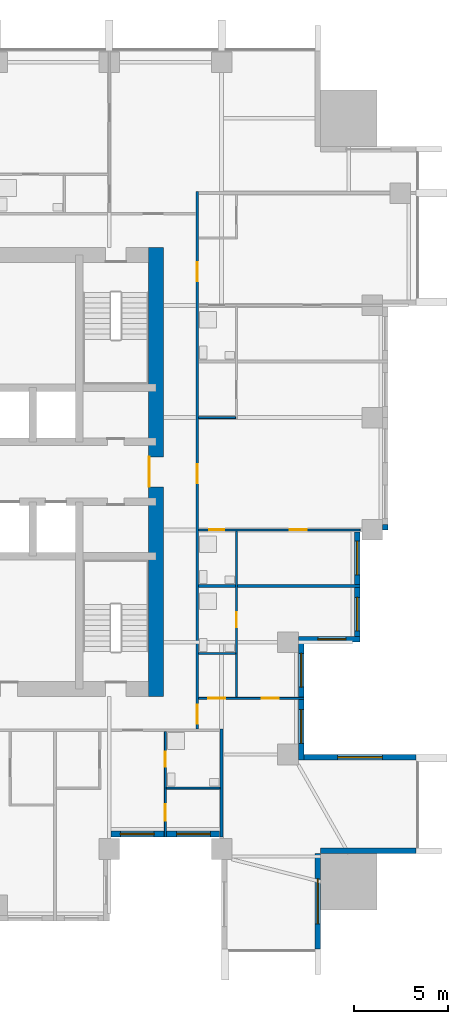
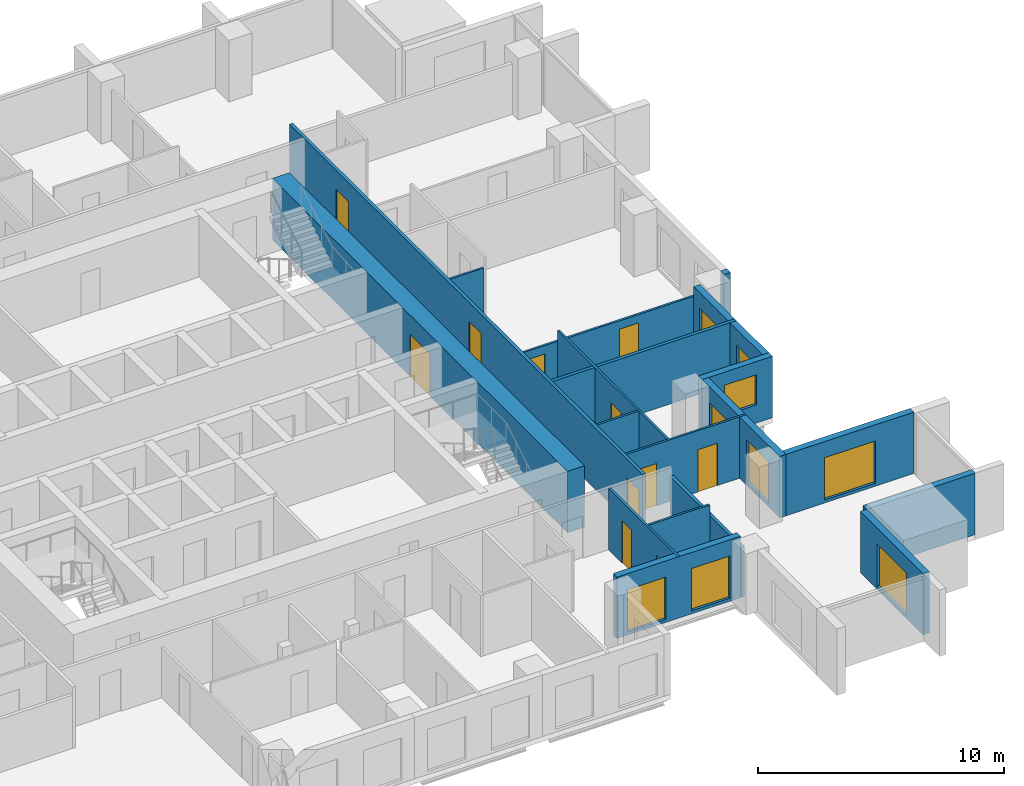
# One storey, part 6 of 10: 19 walls, 11 doors, 9 windows, 20 openings.
"""IFC4 building model written with IfcOpenShell, lengths in metres."""

import ifcopenshell
import ifcopenshell.guid

model = None  # the IFC model being written
_history = None  # IfcOwnerHistory: only IFC2X3 demands one
_inside = {}  # id of a spatial element -> (the spatial element, [elements in it])
_under = {}  # id of a project, library or spatial element -> (it, [spatial elements below it])
_declared = {}  # id of a project -> (the project, [libraries it declares])
_typed = {}  # id of a type object -> (the type object, [elements of that type])
_made_of = {}  # id of a material, layer set ... -> (it, [elements and type objects made of it])


def new_model(schema):
    """Start an empty IFC model of exactly this schema.

    Asked for "IFC4X3", IfcOpenShell would pick the latest addendum, in which some entities
    have other attributes; the version numbers below select the first issue.
    IFC2X3 requires an IfcOwnerHistory on every rooted entity: one is made here for all.
    """
    global model, _history
    if schema == "IFC4X3":
        model = ifcopenshell.file(schema_version=(4, 3, 0, 0))
    else:
        model = ifcopenshell.file(schema=schema)
    _inside.clear()
    _under.clear()
    _declared.clear()
    _typed.clear()
    _made_of.clear()
    _history = None
    if model.schema == "IFC2X3":
        org = make("IfcOrganization", Name="unknown")
        user = make(
            "IfcPersonAndOrganization",
            ThePerson=make("IfcPerson", FamilyName="unknown"),
            TheOrganization=org,
        )
        app = make(
            "IfcApplication",
            ApplicationDeveloper=org,
            Version="unknown",
            ApplicationFullName="unknown",
            ApplicationIdentifier="unknown",
        )
        _history = make(
            "IfcOwnerHistory",
            OwningUser=user,
            OwningApplication=app,
            ChangeAction="ADDED",
            CreationDate=0,
        )
    return model


def make(cls, **values):
    """One entity of the class cls with the attributes given. An attribute that is None is left unset."""
    return model.create_entity(
        cls, **{name: value for name, value in values.items() if value is not None}
    )


def rooted(cls, **values):
    """An entity with a GlobalId (a new one), such as an element, a storey or a relation."""
    return make(cls, GlobalId=ifcopenshell.guid.new(), OwnerHistory=_history, **values)


def si_unit(unit_type, name, prefix=None):
    """IfcSIUnit, for example si_unit("LENGTHUNIT", "METRE", prefix="MILLI")."""
    return make("IfcSIUnit", UnitType=unit_type, Prefix=prefix, Name=name)


def assignment(units):
    """IfcUnitAssignment: the units of a project."""
    return None if units is None else make("IfcUnitAssignment", Units=units)


def point(xyz):
    """IfcCartesianPoint."""
    return None if xyz is None else make("IfcCartesianPoint", Coordinates=xyz)


def direction(xyz):
    """IfcDirection."""
    return None if xyz is None else make("IfcDirection", DirectionRatios=xyz)


def frame(location, z_axis=None, x_axis=None):
    """IfcAxis2Placement3D, a coordinate frame: its origin and axes. An axis left out is left unset."""
    return make(
        "IfcAxis2Placement3D",
        Location=point(location),
        Axis=direction(z_axis),
        RefDirection=direction(x_axis),
    )


def frame_2d(location, x_axis=None):
    """IfcAxis2Placement2D, a coordinate frame in the plane: its origin and x axis."""
    return make(
        "IfcAxis2Placement2D", Location=point(location), RefDirection=direction(x_axis)
    )


def origin():
    """The frame at (0, 0, 0) with its axes left unset."""
    return frame((0.0, 0.0, 0.0))


def place(relative_to, where):
    """IfcLocalPlacement: puts the frame where relative to a parent placement (None: the world)."""
    return make(
        "IfcLocalPlacement", PlacementRelTo=relative_to, RelativePlacement=where
    )


def context(
    kind, dimensions, precision=None, world=None, true_north=None, identifier=None
):
    """IfcGeometricRepresentationContext, for example the 3D "Model" context."""
    return make(
        "IfcGeometricRepresentationContext",
        ContextIdentifier=identifier,
        ContextType=kind,
        CoordinateSpaceDimension=dimensions,
        Precision=precision,
        WorldCoordinateSystem=world,
        TrueNorth=true_north,
    )


def subcontext(parent, identifier, kind, view, scale=None):
    """IfcGeometricRepresentationSubContext, for example "Body" below "Model"."""
    return make(
        "IfcGeometricRepresentationSubContext",
        ContextIdentifier=identifier,
        ContextType=kind,
        ParentContext=parent,
        TargetScale=scale,
        TargetView=view,
    )


def project(units=None, contexts=None):
    """IfcProject with its units and contexts."""
    return rooted(
        "IfcProject",
        Name="project",
        RepresentationContexts=contexts,
        UnitsInContext=assignment(units),
    )


def spatial(cls, under=None, at=None, **own):
    """A site, building, storey or space (cls), placed at a placement, below another one or the project."""
    s = rooted(cls, ObjectPlacement=at, **own)
    if under is not None:
        _under.setdefault(under.id(), (under, []))[1].append(s)
    return s


def profile(cls, at=None, kind="AREA", **sizes):
    """A parametric profile (cls). Its sizes go by their IFC names, for example OverallWidth=200.0."""
    return make(cls, ProfileType=kind, Position=at, **sizes)


def rectangle(**sizes):
    """IfcRectangleProfileDef."""
    return profile("IfcRectangleProfileDef", **sizes)


def extrude(swept, where, along, depth):
    """IfcExtrudedAreaSolid: the profile swept, set in the frame where, extruded along a direction by depth."""
    return make(
        "IfcExtrudedAreaSolid",
        SweptArea=swept,
        Position=where,
        ExtrudedDirection=direction(along),
        Depth=depth,
    )


def shape(context_of_items, identifier, shape_type, items):
    """IfcShapeRepresentation: the items that make up one representation, for example the "Body"."""
    return make(
        "IfcShapeRepresentation",
        ContextOfItems=context_of_items,
        RepresentationIdentifier=identifier,
        RepresentationType=shape_type,
        Items=items,
    )


def material(Name=None, Category=None):
    """IfcMaterial."""
    return make("IfcMaterial", Name=Name, Category=Category)


def layer(
    of_material, thickness, ventilated=None, Name=None, Category=None, Priority=None
):
    """IfcMaterialLayer: one layer of a wall or slab, of a material (None: an air gap)."""
    return make(
        "IfcMaterialLayer",
        Material=of_material,
        LayerThickness=thickness,
        IsVentilated=ventilated,
        Name=Name,
        Category=Category,
        Priority=Priority,
    )


def layer_set(layers, Name=None):
    """IfcMaterialLayerSet."""
    return make("IfcMaterialLayerSet", MaterialLayers=layers, LayerSetName=Name)


def made_of(thing, what):
    """Note that an element or type object is made of a material, layer set ...; save() writes the relation."""
    if what is not None:
        _made_of.setdefault(what.id(), (what, []))[1].append(thing)
    return thing


def type_object(cls, material=None, **own):
    """A type object (cls), such as IfcWallType, which elements share."""
    return made_of(rooted(cls, **own), material)


def element(
    cls,
    number,
    at=None,
    inside=None,
    cuts=None,
    type_object=None,
    material=None,
    context=None,
    identifier="Body",
    shape_type=None,
    held_by="IfcProductDefinitionShape",
    body=None,
    shapes=None,
    **own,
):
    """One element of the class cls, such as IfcWall. Its Tag is "e" and its number.

    at: its placement. inside: the storey or other place that contains it. cuts: it is an
    opening in that element (IfcRelVoidsElement). A single representation is given by context,
    identifier, shape_type and body (its items); several are given by shapes. held_by: the class
    of the entity that holds the representations. save() writes the other relations.
    """
    e = rooted(cls, Tag="e%d" % number, ObjectPlacement=at, **own)
    if body is not None:
        shapes = [shape(context, identifier, shape_type, body)]
    if shapes is not None:
        e.Representation = make(held_by, Representations=shapes)
    if inside is not None:
        _inside.setdefault(inside.id(), (inside, []))[1].append(e)
    if cuts is not None:
        rooted(
            "IfcRelVoidsElement", RelatingBuildingElement=cuts, RelatedOpeningElement=e
        )
    if type_object is not None:
        _typed.setdefault(type_object.id(), (type_object, []))[1].append(e)
    return made_of(e, material)


def fill(opening, filler):
    """IfcRelFillsElement: the door or window that sits in an opening."""
    return rooted(
        "IfcRelFillsElement",
        RelatingOpeningElement=opening,
        RelatedBuildingElement=filler,
    )


def aggregate(whole, parts):
    """IfcRelAggregates: a whole, such as a stair, and the parts it consists of."""
    return rooted("IfcRelAggregates", RelatingObject=whole, RelatedObjects=parts)


def save(model, path):
    """Write the relations noted so far, then the file.

    IfcRelAggregates (storeys below a building ...), IfcRelContainedInSpatialStructure (elements
    in a storey), IfcRelDefinesByType, IfcRelAssociatesMaterial and IfcRelDeclares: one each for
    every whole, place, type object, material and project.
    """
    for whole, parts in _under.values():
        aggregate(whole, parts)
    for where, things in _inside.values():
        rooted(
            "IfcRelContainedInSpatialStructure",
            RelatedElements=things,
            RelatingStructure=where,
        )
    for kind, things in _typed.values():
        rooted("IfcRelDefinesByType", RelatedObjects=things, RelatingType=kind)
    for what, things in _made_of.values():
        rooted("IfcRelAssociatesMaterial", RelatedObjects=things, RelatingMaterial=what)
    for by, libraries in _declared.values():
        rooted("IfcRelDeclares", RelatingContext=by, RelatedDefinitions=libraries)
    model.write(path)


model = new_model("IFC4")

# Units and contexts
model_context = context("Model", 3, precision=1e-05, world=origin(), true_north=direction((0.0, 1.0)))
body_context = subcontext(model_context, "Body", "Model", "MODEL_VIEW")
ifc_project = project(units=[si_unit("LENGTHUNIT", "METRE"), si_unit("AREAUNIT", "SQUARE_METRE"), si_unit("VOLUMEUNIT", "CUBIC_METRE"), si_unit("PLANEANGLEUNIT", "RADIAN"), si_unit("MASSUNIT", "GRAM", prefix="KILO")], contexts=[model_context])

# Site, building, storey
site_placement = place(None, origin())
site = spatial("IfcSite", under=ifc_project, at=site_placement, CompositionType="ELEMENT")
building_placement = place(site_placement, origin())
building = spatial("IfcBuilding", under=site, at=building_placement, Name="Amberfall Residences", CompositionType="ELEMENT")
storey_placement = place(building_placement, frame((0.0, 0.0, 101.800048828125)))
storey = spatial("IfcBuildingStorey", under=building, at=storey_placement, Name="L27", CompositionType="ELEMENT", Elevation=101.800048828125)

# Wall, opening, window
ifc_material_1 = material(Name="Pale stone cladding on insulated backing", Category="masonry")
ifc_layer_1 = layer(ifc_material_1, 0.300048828125)
ifc_layer_set_1 = layer_set([ifc_layer_1], Name="Bronze clad wall 300")
wall_type_1 = type_object("IfcWallType", Name="Bronze clad wall 300", PredefinedType="SOLIDWALL", material=ifc_layer_set_1)
wall_1_placement = place(storey_placement, frame((94.75, 20.0, 0.0), z_axis=(0.0, 0.0, 1.0), x_axis=(0.0, 1.0, 0.0)))
wall_1 = element("IfcWall", 1, at=wall_1_placement, inside=storey, type_object=wall_type_1, Name="External wall L27 SE", PredefinedType="SOLIDWALL", context=body_context, shape_type="SweptSolid", body=[
    extrude(rectangle(XDim=5.10009765625, YDim=0.300048828125, at=frame_2d((2.550048828125, 0.0))), origin(), (0.0, 0.0, 1.0), 3.050048828125),
])
opening_1_placement = place(wall_1_placement, frame((1.35009765625, 0.0, 0.14990234375)))
opening_1 = element("IfcOpeningElement", 2, at=opening_1_placement, cuts=wall_1, Name="Opening WN5", PredefinedType="OPENING", context=body_context, shape_type="SweptSolid", body=[
    extrude(rectangle(XDim=2.39990234375, YDim=2.10009765625, at=frame_2d((1.199951171875, 1.050048828125))), frame((0.0, 0.159912109375, 0.0), z_axis=(0.0, -1.0, 0.0), x_axis=(1.0, 0.0, 0.0)), (0.0, 0.0, 1.0), 0.320068359375),
])
ifc_material_2 = material(Name="Bronze aluminium framed glazing", Category="aluminium")
window_type_1 = type_object("IfcWindowType", Name="Glazed opening 2400 x 2100 bronze", PartitioningType="DOUBLE_PANEL_VERTICAL", PredefinedType="WINDOW", material=ifc_material_2)
window_1_placement = place(opening_1_placement, origin())
window_1 = element("IfcWindow", 3, at=window_1_placement, inside=storey, type_object=window_type_1, Name="Window L27 SE", OverallHeight=2.10009765625, OverallWidth=2.39990234375, PartitioningType="DOUBLE_PANEL_VERTICAL", PredefinedType="WINDOW", context=body_context, shape_type="SweptSolid", body=[
    extrude(rectangle(XDim=2.39990234375, YDim=2.10009765625, at=frame_2d((1.199951171875, 1.050048828125))), frame((0.0, 0.030029296875, 0.0), z_axis=(0.0, -1.0, 0.0), x_axis=(1.0, 0.0, 0.0)), (0.0, 0.0, 1.0), 0.06005859375),
])
fill(opening_1, window_1)

# Wall
wall_2_placement = place(storey_placement, frame((94.89990234375, 25.25, 0.0), z_axis=(0.0, 0.0, 1.0), x_axis=(1.0, 0.0, 0.0)))
element("IfcWall", 4, at=wall_2_placement, inside=storey, type_object=wall_type_1, Name="External wall L27 SE", PredefinedType="SOLIDWALL", context=body_context, shape_type="SweptSolid", body=[
    extrude(rectangle(XDim=5.10009765625, YDim=0.300048828125, at=frame_2d((2.550048828125, 0.0))), origin(), (0.0, 0.0, 1.0), 3.050048828125),
])

# Wall, opening, window
wall_3_placement = place(storey_placement, frame((100.0, 30.25, 0.0), z_axis=(0.0, 0.0, 1.0), x_axis=(-1.0, 0.0, 0.0)))
wall_3 = element("IfcWall", 5, at=wall_3_placement, inside=storey, type_object=wall_type_1, Name="External wall L27 E", PredefinedType="SOLIDWALL", context=body_context, shape_type="SweptSolid", body=[
    extrude(rectangle(XDim=6.0, YDim=0.300048828125, at=frame_2d((3.0, 0.0))), origin(), (0.0, 0.0, 1.0), 3.050048828125),
])
opening_2_placement = place(wall_3_placement, frame((1.800048828125, 0.0, 0.14990234375)))
opening_2 = element("IfcOpeningElement", 6, at=opening_2_placement, cuts=wall_3, Name="Opening WN5", PredefinedType="OPENING", context=body_context, shape_type="SweptSolid", body=[
    extrude(rectangle(XDim=2.39990234375, YDim=2.10009765625, at=frame_2d((1.199951171875, 1.050048828125))), frame((0.0, 0.159912109375, 0.0), z_axis=(0.0, -1.0, 0.0), x_axis=(1.0, 0.0, 0.0)), (0.0, 0.0, 1.0), 0.320068359375),
])
window_2_placement = place(opening_2_placement, origin())
window_2 = element("IfcWindow", 7, at=window_2_placement, inside=storey, type_object=window_type_1, Name="Window L27 E", OverallHeight=2.10009765625, OverallWidth=2.39990234375, PartitioningType="DOUBLE_PANEL_VERTICAL", PredefinedType="WINDOW", context=body_context, shape_type="SweptSolid", body=[
    extrude(rectangle(XDim=2.39990234375, YDim=2.10009765625, at=frame_2d((1.199951171875, 1.050048828125))), frame((0.0, 0.030029296875, 0.0), z_axis=(0.0, -1.0, 0.0), x_axis=(1.0, 0.0, 0.0)), (0.0, 0.0, 1.0), 0.06005859375),
])
fill(opening_2, window_2)

wall_4_placement = place(storey_placement, frame((93.699951171875, 36.550048828125, 0.0), z_axis=(0.0, 0.0, 1.0), x_axis=(1.0, 0.0, 0.0)))
wall_4 = element("IfcWall", 8, at=wall_4_placement, inside=storey, type_object=wall_type_1, Name="External wall L27 E", PredefinedType="SOLIDWALL", context=body_context, shape_type="SweptSolid", body=[
    extrude(rectangle(XDim=3.300048828125, YDim=0.300048828125, at=frame_2d((1.64990234375, 0.0))), origin(), (0.0, 0.0, 1.0), 3.050048828125),
])
opening_3_placement = place(wall_4_placement, frame((1.050048828125, 0.0, 0.89990234375)))
opening_3 = element("IfcOpeningElement", 9, at=opening_3_placement, cuts=wall_4, Name="Opening WN1", PredefinedType="OPENING", context=body_context, shape_type="SweptSolid", body=[
    extrude(rectangle(XDim=1.5, YDim=1.5, at=frame_2d((0.75, 0.75))), frame((0.0, 0.159912109375, 0.0), z_axis=(0.0, -1.0, 0.0), x_axis=(1.0, 0.0, 0.0)), (0.0, 0.0, 1.0), 0.320068359375),
])
window_type_2 = type_object("IfcWindowType", Name="Window 1500 x 1500 bronze", PartitioningType="DOUBLE_PANEL_VERTICAL", PredefinedType="WINDOW", material=ifc_material_2)
window_3_placement = place(opening_3_placement, origin())
window_3 = element("IfcWindow", 10, at=window_3_placement, inside=storey, type_object=window_type_2, Name="Window L27 E", OverallHeight=1.5, OverallWidth=1.5, PartitioningType="DOUBLE_PANEL_VERTICAL", PredefinedType="WINDOW", context=body_context, shape_type="SweptSolid", body=[
    extrude(rectangle(XDim=1.5, YDim=1.5, at=frame_2d((0.75, 0.75))), frame((0.0, 0.030029296875, 0.0), z_axis=(0.0, -1.0, 0.0), x_axis=(1.0, 0.0, 0.0)), (0.0, 0.0, 1.0), 0.06005859375),
])
fill(opening_3, window_3)

# Wall
wall_5_placement = place(storey_placement, frame((98.199951171875, 42.550048828125, 0.0), z_axis=(0.0, 0.0, 1.0), x_axis=(1.0, 0.0, 0.0)))
element("IfcWall", 11, at=wall_5_placement, inside=storey, type_object=wall_type_1, Name="External wall L27 E", PredefinedType="SOLIDWALL", context=body_context, shape_type="SweptSolid", body=[
    extrude(rectangle(XDim=0.300048828125, YDim=0.300048828125, at=frame_2d((0.14990234375, 0.0))), origin(), (0.0, 0.0, 1.0), 3.050048828125),
])

# Wall, openings, windows
wall_6_placement = place(storey_placement, frame((83.699951171875, 26.14990234375, 0.0), z_axis=(0.0, 0.0, 1.0), x_axis=(1.0, 0.0, 0.0)))
wall_6 = element("IfcWall", 12, at=wall_6_placement, inside=storey, type_object=wall_type_1, Name="Stone wall L27 S", PredefinedType="SOLIDWALL", context=body_context, shape_type="SweptSolid", body=[
    extrude(rectangle(XDim=5.7900390625, YDim=0.300048828125, at=frame_2d((2.89501953125, 0.0))), origin(), (0.0, 0.0, 1.0), 3.050048828125),
])
opening_4_placement = place(wall_6_placement, frame((0.5, 0.0, 0.14990234375)))
opening_4 = element("IfcOpeningElement", 13, at=opening_4_placement, cuts=wall_6, Name="Opening WN6", PredefinedType="OPENING", context=body_context, shape_type="SweptSolid", body=[
    extrude(rectangle(XDim=1.800048828125, YDim=2.10009765625, at=frame_2d((0.89990234375, 1.050048828125))), frame((0.0, 0.159912109375, 0.0), z_axis=(0.0, -1.0, 0.0), x_axis=(1.0, 0.0, 0.0)), (0.0, 0.0, 1.0), 0.320068359375),
])
opening_5_placement = place(wall_6_placement, frame((3.5, 0.0, 0.14990234375)))
opening_5 = element("IfcOpeningElement", 14, at=opening_5_placement, cuts=wall_6, Name="Opening WN6", PredefinedType="OPENING", context=body_context, shape_type="SweptSolid", body=[
    extrude(rectangle(XDim=1.800048828125, YDim=2.10009765625, at=frame_2d((0.89990234375, 1.050048828125))), frame((0.0, 0.159912109375, 0.0), z_axis=(0.0, -1.0, 0.0), x_axis=(1.0, 0.0, 0.0)), (0.0, 0.0, 1.0), 0.320068359375),
])
window_type_3 = type_object("IfcWindowType", Name="Glazed opening 1800 x 2100 bronze", PartitioningType="DOUBLE_PANEL_VERTICAL", PredefinedType="WINDOW", material=ifc_material_2)
window_4_placement = place(opening_4_placement, origin())
window_4 = element("IfcWindow", 15, at=window_4_placement, inside=storey, type_object=window_type_3, Name="Window L27 S", OverallHeight=2.10009765625, OverallWidth=1.800048828125, PartitioningType="DOUBLE_PANEL_VERTICAL", PredefinedType="WINDOW", context=body_context, shape_type="SweptSolid", body=[
    extrude(rectangle(XDim=1.800048828125, YDim=2.10009765625, at=frame_2d((0.89990234375, 1.050048828125))), frame((0.0, 0.030029296875, 0.0), z_axis=(0.0, -1.0, 0.0), x_axis=(1.0, 0.0, 0.0)), (0.0, 0.0, 1.0), 0.06005859375),
])
fill(opening_4, window_4)
window_5_placement = place(opening_5_placement, origin())
window_5 = element("IfcWindow", 16, at=window_5_placement, inside=storey, type_object=window_type_3, Name="Window L27 S", OverallHeight=2.10009765625, OverallWidth=1.800048828125, PartitioningType="DOUBLE_PANEL_VERTICAL", PredefinedType="WINDOW", context=body_context, shape_type="SweptSolid", body=[
    extrude(rectangle(XDim=1.800048828125, YDim=2.10009765625, at=frame_2d((0.89990234375, 1.050048828125))), frame((0.0, 0.030029296875, 0.0), z_axis=(0.0, -1.0, 0.0), x_axis=(1.0, 0.0, 0.0)), (0.0, 0.0, 1.0), 0.06005859375),
])
fill(opening_5, window_5)

wall_7_placement = place(storey_placement, frame((93.85009765625, 30.10009765625, 0.0), z_axis=(0.0, 0.0, 1.0), x_axis=(0.0, 1.0, 0.0)))
wall_7 = element("IfcWall", 17, at=wall_7_placement, inside=storey, type_object=wall_type_1, Name="Stone wall L27 E", PredefinedType="SOLIDWALL", context=body_context, shape_type="SweptSolid", body=[
    extrude(rectangle(XDim=6.2998046875, YDim=0.300048828125, at=frame_2d((3.14990234375, 0.0))), origin(), (0.0, 0.0, 1.0), 3.050048828125),
])
opening_6_placement = place(wall_7_placement, frame((0.89990234375, 0.0, 0.14990234375)))
opening_6 = element("IfcOpeningElement", 18, at=opening_6_placement, cuts=wall_7, Name="Opening WN6", PredefinedType="OPENING", context=body_context, shape_type="SweptSolid", body=[
    extrude(rectangle(XDim=1.800048828125, YDim=2.10009765625, at=frame_2d((0.89990234375, 1.050048828125))), frame((0.0, 0.159912109375, 0.0), z_axis=(0.0, -1.0, 0.0), x_axis=(1.0, 0.0, 0.0)), (0.0, 0.0, 1.0), 0.320068359375),
])
opening_7_placement = place(wall_7_placement, frame((3.89990234375, 0.0, 0.14990234375)))
opening_7 = element("IfcOpeningElement", 19, at=opening_7_placement, cuts=wall_7, Name="Opening WN6", PredefinedType="OPENING", context=body_context, shape_type="SweptSolid", body=[
    extrude(rectangle(XDim=1.800048828125, YDim=2.10009765625, at=frame_2d((0.89990234375, 1.050048828125))), frame((0.0, 0.159912109375, 0.0), z_axis=(0.0, -1.0, 0.0), x_axis=(1.0, 0.0, 0.0)), (0.0, 0.0, 1.0), 0.320068359375),
])
window_6_placement = place(opening_6_placement, origin())
window_6 = element("IfcWindow", 20, at=window_6_placement, inside=storey, type_object=window_type_3, Name="Window L27 E", OverallHeight=2.10009765625, OverallWidth=1.800048828125, PartitioningType="DOUBLE_PANEL_VERTICAL", PredefinedType="WINDOW", context=body_context, shape_type="SweptSolid", body=[
    extrude(rectangle(XDim=1.800048828125, YDim=2.10009765625, at=frame_2d((0.89990234375, 1.050048828125))), frame((0.0, 0.030029296875, 0.0), z_axis=(0.0, -1.0, 0.0), x_axis=(1.0, 0.0, 0.0)), (0.0, 0.0, 1.0), 0.06005859375),
])
fill(opening_6, window_6)
window_7_placement = place(opening_7_placement, origin())
window_7 = element("IfcWindow", 21, at=window_7_placement, inside=storey, type_object=window_type_3, Name="Window L27 E", OverallHeight=2.10009765625, OverallWidth=1.800048828125, PartitioningType="DOUBLE_PANEL_VERTICAL", PredefinedType="WINDOW", context=body_context, shape_type="SweptSolid", body=[
    extrude(rectangle(XDim=1.800048828125, YDim=2.10009765625, at=frame_2d((0.89990234375, 1.050048828125))), frame((0.0, 0.030029296875, 0.0), z_axis=(0.0, -1.0, 0.0), x_axis=(1.0, 0.0, 0.0)), (0.0, 0.0, 1.0), 0.06005859375),
])
fill(opening_7, window_7)

wall_8_placement = place(storey_placement, frame((96.85009765625, 36.699951171875, 0.0), z_axis=(0.0, 0.0, 1.0), x_axis=(0.0, 1.0, 0.0)))
wall_8 = element("IfcWall", 22, at=wall_8_placement, inside=storey, type_object=wall_type_1, Name="Stone wall L27 E", PredefinedType="SOLIDWALL", context=body_context, shape_type="SweptSolid", body=[
    extrude(rectangle(XDim=5.590087890625, YDim=0.300048828125, at=frame_2d((2.794921875, 0.0))), origin(), (0.0, 0.0, 1.0), 3.050048828125),
])
opening_8_placement = place(wall_8_placement, frame((0.300048828125, 0.0, 0.14990234375)))
opening_8 = element("IfcOpeningElement", 23, at=opening_8_placement, cuts=wall_8, Name="Opening WN6", PredefinedType="OPENING", context=body_context, shape_type="SweptSolid", body=[
    extrude(rectangle(XDim=1.800048828125, YDim=2.10009765625, at=frame_2d((0.89990234375, 1.050048828125))), frame((0.0, 0.159912109375, 0.0), z_axis=(0.0, -1.0, 0.0), x_axis=(1.0, 0.0, 0.0)), (0.0, 0.0, 1.0), 0.320068359375),
])
opening_9_placement = place(wall_8_placement, frame((3.300048828125, 0.0, 0.14990234375)))
opening_9 = element("IfcOpeningElement", 24, at=opening_9_placement, cuts=wall_8, Name="Opening WN6", PredefinedType="OPENING", context=body_context, shape_type="SweptSolid", body=[
    extrude(rectangle(XDim=1.800048828125, YDim=2.10009765625, at=frame_2d((0.89990234375, 1.050048828125))), frame((0.0, 0.159912109375, 0.0), z_axis=(0.0, -1.0, 0.0), x_axis=(1.0, 0.0, 0.0)), (0.0, 0.0, 1.0), 0.320068359375),
])
window_8_placement = place(opening_8_placement, origin())
window_8 = element("IfcWindow", 25, at=window_8_placement, inside=storey, type_object=window_type_3, Name="Window L27 E", OverallHeight=2.10009765625, OverallWidth=1.800048828125, PartitioningType="DOUBLE_PANEL_VERTICAL", PredefinedType="WINDOW", context=body_context, shape_type="SweptSolid", body=[
    extrude(rectangle(XDim=1.800048828125, YDim=2.10009765625, at=frame_2d((0.89990234375, 1.050048828125))), frame((0.0, 0.030029296875, 0.0), z_axis=(0.0, -1.0, 0.0), x_axis=(1.0, 0.0, 0.0)), (0.0, 0.0, 1.0), 0.06005859375),
])
fill(opening_8, window_8)
window_9_placement = place(opening_9_placement, origin())
window_9 = element("IfcWindow", 26, at=window_9_placement, inside=storey, type_object=window_type_3, Name="Window L27 E", OverallHeight=2.10009765625, OverallWidth=1.800048828125, PartitioningType="DOUBLE_PANEL_VERTICAL", PredefinedType="WINDOW", context=body_context, shape_type="SweptSolid", body=[
    extrude(rectangle(XDim=1.800048828125, YDim=2.10009765625, at=frame_2d((0.89990234375, 1.050048828125))), frame((0.0, 0.030029296875, 0.0), z_axis=(0.0, -1.0, 0.0), x_axis=(1.0, 0.0, 0.0)), (0.0, 0.0, 1.0), 0.06005859375),
])
fill(opening_9, window_9)

# Wall, opening, door
ifc_material_3 = material(Name="Concrete C70", Category="concrete")
ifc_layer_2 = layer(ifc_material_3, 0.800048828125)
ifc_layer_set_2 = layer_set([ifc_layer_2], Name="Core wall 800 C70")
wall_type_2 = type_object("IfcWallType", Name="Core wall 800 C70", PredefinedType="SHEAR", material=ifc_layer_set_2)
wall_9_placement = place(storey_placement, frame((86.10009765625, 33.5, 0.0), z_axis=(0.0, 0.0, 1.0), x_axis=(0.0, 1.0, 0.0)))
wall_9 = element("IfcWall", 27, at=wall_9_placement, inside=storey, type_object=wall_type_2, Name="Core wall RW3 L27 OE", PredefinedType="SHEAR", context=body_context, shape_type="SweptSolid", body=[
    extrude(rectangle(XDim=24.0, YDim=0.800048828125, at=frame_2d((12.0, 0.0))), origin(), (0.0, 0.0, 1.0), 3.050048828125),
])
opening_10_placement = place(wall_9_placement, frame((11.199951171875, 0.0, 0.0)))
opening_10 = element("IfcOpeningElement", 28, at=opening_10_placement, cuts=wall_9, Name="Opening LB1", PredefinedType="OPENING", context=body_context, shape_type="SweptSolid", body=[
    extrude(rectangle(XDim=1.60009765625, YDim=2.10009765625, at=frame_2d((0.800048828125, 1.050048828125))), frame((0.0, 0.409912109375, 0.0), z_axis=(0.0, -1.0, 0.0), x_axis=(1.0, 0.0, 0.0)), (0.0, 0.0, 1.0), 0.820068359375),
])
ifc_material_4 = material(Name="Steel fire door set", Category="steel")
door_type_1 = type_object("IfcDoorType", Name="Lift lobby double door 1600 x 2100", OperationType="DOUBLE_DOOR_SINGLE_SWING", PredefinedType="DOOR", material=ifc_material_4)
door_1_placement = place(opening_10_placement, origin())
door_1 = element("IfcDoor", 29, at=door_1_placement, inside=storey, type_object=door_type_1, Name="LB1 L27", OperationType="DOUBLE_DOOR_SINGLE_SWING", OverallHeight=2.10009765625, OverallWidth=1.60009765625, PredefinedType="DOOR", context=body_context, shape_type="SweptSolid", body=[
    extrude(rectangle(XDim=1.60009765625, YDim=2.10009765625, at=frame_2d((0.800048828125, 1.050048828125))), frame((0.0, 0.3876953125, 0.0), z_axis=(0.0, -1.0, 0.0), x_axis=(1.0, 0.0, 0.0)), (0.0, 0.0, 1.0), 0.050048828125),
])
fill(opening_10, door_1)

# Wall, openings, doors
ifc_material_5 = material(Name="Gypsum board on metal stud")
ifc_layer_3 = layer(ifc_material_5, 0.10009765625)
ifc_layer_set_3 = layer_set([ifc_layer_3], Name="Flat partition 100")
wall_type_3 = type_object("IfcWallType", Name="Flat partition 100", PredefinedType="PARTITIONING", material=ifc_layer_set_3)
wall_10_placement = place(storey_placement, frame((86.60009765625, 31.625, 0.0), z_axis=(0.0, 0.0, 1.0), x_axis=(0.0, -1.0, 0.0)))
wall_10 = element("IfcWall", 30, at=wall_10_placement, inside=storey, type_object=wall_type_3, Name="Partition 018", PredefinedType="PARTITIONING", context=body_context, shape_type="SweptSolid", body=[
    extrude(rectangle(XDim=5.625, YDim=0.10009765625, at=frame_2d((2.8125, 0.0))), origin(), (0.0, 0.0, 1.0), 3.050048828125),
])
opening_11_placement = place(wall_10_placement, frame((3.875, 0.0, 0.0)))
opening_11 = element("IfcOpeningElement", 31, at=opening_11_placement, cuts=wall_10, Name="Opening D41", PredefinedType="OPENING", context=body_context, shape_type="SweptSolid", body=[
    extrude(rectangle(XDim=0.89990234375, YDim=2.10009765625, at=frame_2d((0.449951171875, 1.050048828125))), frame((0.0, 0.06005859375, 0.0), z_axis=(0.0, -1.0, 0.0), x_axis=(1.0, 0.0, 0.0)), (0.0, 0.0, 1.0), 0.1201171875),
])
opening_12_placement = place(wall_10_placement, frame((1.074951171875, 0.0, 0.0)))
opening_12 = element("IfcOpeningElement", 32, at=opening_12_placement, cuts=wall_10, Name="Opening D42", PredefinedType="OPENING", context=body_context, shape_type="SweptSolid", body=[
    extrude(rectangle(XDim=0.800048828125, YDim=2.10009765625, at=frame_2d((0.39990234375, 1.050048828125))), frame((0.0, 0.06005859375, 0.0), z_axis=(0.0, -1.0, 0.0), x_axis=(1.0, 0.0, 0.0)), (0.0, 0.0, 1.0), 0.1201171875),
])
ifc_material_6 = material(Name="Timber", Category="wood")
door_type_2 = type_object("IfcDoorType", Name="Bathroom door 800 x 2100", OperationType="SINGLE_SWING_LEFT", PredefinedType="DOOR", material=ifc_material_6)
door_2_placement = place(opening_12_placement, origin())
door_2 = element("IfcDoor", 33, at=door_2_placement, inside=storey, type_object=door_type_2, Name="Door 2703 bath1", OperationType="SINGLE_SWING_LEFT", OverallHeight=2.10009765625, OverallWidth=0.800048828125, PredefinedType="DOOR", context=body_context, shape_type="SweptSolid", body=[
    extrude(rectangle(XDim=0.800048828125, YDim=2.10009765625, at=frame_2d((0.39990234375, 1.050048828125))), frame((0.0, 0.02490234375, 0.0), z_axis=(0.0, -1.0, 0.0), x_axis=(1.0, 0.0, 0.0)), (0.0, 0.0, 1.0), 0.050048828125),
])
fill(opening_12, door_2)
door_type_3 = type_object("IfcDoorType", Name="Internal door 900 x 2100", OperationType="SINGLE_SWING_LEFT", PredefinedType="DOOR", material=ifc_material_6)
door_3_placement = place(opening_11_placement, origin())
door_3 = element("IfcDoor", 34, at=door_3_placement, inside=storey, type_object=door_type_3, Name="Door 2703 bedroom1", OperationType="SINGLE_SWING_LEFT", OverallHeight=2.10009765625, OverallWidth=0.89990234375, PredefinedType="DOOR", context=body_context, shape_type="SweptSolid", body=[
    extrude(rectangle(XDim=0.89990234375, YDim=2.10009765625, at=frame_2d((0.449951171875, 1.050048828125))), frame((0.0, 0.02490234375, 0.0), z_axis=(0.0, -1.0, 0.0), x_axis=(1.0, 0.0, 0.0)), (0.0, 0.0, 1.0), 0.050048828125),
])
fill(opening_11, door_3)

# Wall, opening, door
wall_11_placement = place(storey_placement, frame((90.39990234375, 33.449951171875, 0.0), z_axis=(0.0, 0.0, 1.0), x_axis=(0.0, 1.0, 0.0)))
wall_11 = element("IfcWall", 35, at=wall_11_placement, inside=storey, type_object=wall_type_3, Name="Partition 019", PredefinedType="PARTITIONING", context=body_context, shape_type="SweptSolid", body=[
    extrude(rectangle(XDim=8.900146484375, YDim=0.10009765625, at=frame_2d((4.4501953125, 0.0))), origin(), (0.0, 0.0, 1.0), 3.050048828125),
])
opening_13_placement = place(wall_11_placement, frame((3.75, 0.0, 0.0)))
opening_13 = element("IfcOpeningElement", 36, at=opening_13_placement, cuts=wall_11, Name="Opening D42", PredefinedType="OPENING", context=body_context, shape_type="SweptSolid", body=[
    extrude(rectangle(XDim=0.800048828125, YDim=2.10009765625, at=frame_2d((0.39990234375, 1.050048828125))), frame((0.0, 0.06005859375, 0.0), z_axis=(0.0, -1.0, 0.0), x_axis=(1.0, 0.0, 0.0)), (0.0, 0.0, 1.0), 0.1201171875),
])
door_4_placement = place(opening_13_placement, origin())
door_4 = element("IfcDoor", 37, at=door_4_placement, inside=storey, type_object=door_type_2, Name="Door 2704 bath1", OperationType="SINGLE_SWING_LEFT", OverallHeight=2.10009765625, OverallWidth=0.800048828125, PredefinedType="DOOR", context=body_context, shape_type="SweptSolid", body=[
    extrude(rectangle(XDim=0.800048828125, YDim=2.10009765625, at=frame_2d((0.39990234375, 1.050048828125))), frame((0.0, 0.02490234375, 0.0), z_axis=(0.0, -1.0, 0.0), x_axis=(1.0, 0.0, 0.0)), (0.0, 0.0, 1.0), 0.050048828125),
])
fill(opening_13, door_4)

# Wall
wall_12_placement = place(storey_placement, frame((88.375, 48.39990234375, 0.0), z_axis=(0.0, 0.0, 1.0), x_axis=(1.0, 0.0, 0.0)))
element("IfcWall", 38, at=wall_12_placement, inside=storey, type_object=wall_type_3, Name="Partition 031", PredefinedType="PARTITIONING", context=body_context, shape_type="SweptSolid", body=[
    extrude(rectangle(XDim=1.97509765625, YDim=0.10009765625, at=frame_2d((0.987548828125, 0.0))), origin(), (0.0, 0.0, 1.0), 2.515869140625),
])

# Wall, openings, doors
wall_13_placement = place(storey_placement, frame((97.0, 42.39990234375, 0.0), z_axis=(0.0, 0.0, 1.0), x_axis=(-1.0, 0.0, 0.0)))
wall_13 = element("IfcWall", 39, at=wall_13_placement, inside=storey, type_object=wall_type_3, Name="Partition 034", PredefinedType="PARTITIONING", context=body_context, shape_type="SweptSolid", body=[
    extrude(rectangle(XDim=8.625, YDim=0.10009765625, at=frame_2d((4.3125, 0.0))), origin(), (0.0, 0.0, 1.0), 2.515869140625),
])
opening_14_placement = place(wall_13_placement, frame((2.85009765625, 0.0, 0.0)))
opening_14 = element("IfcOpeningElement", 40, at=opening_14_placement, cuts=wall_13, Name="Opening D41", PredefinedType="OPENING", context=body_context, shape_type="SweptSolid", body=[
    extrude(rectangle(XDim=0.89990234375, YDim=2.10009765625, at=frame_2d((0.449951171875, 1.050048828125))), frame((0.0, 0.06005859375, 0.0), z_axis=(0.0, -1.0, 0.0), x_axis=(1.0, 0.0, 0.0)), (0.0, 0.0, 1.0), 0.1201171875),
])
opening_15_placement = place(wall_13_placement, frame((7.25, 0.0, 0.0)))
opening_15 = element("IfcOpeningElement", 41, at=opening_15_placement, cuts=wall_13, Name="Opening D42", PredefinedType="OPENING", context=body_context, shape_type="SweptSolid", body=[
    extrude(rectangle(XDim=0.800048828125, YDim=2.10009765625, at=frame_2d((0.39990234375, 1.050048828125))), frame((0.0, 0.06005859375, 0.0), z_axis=(0.0, -1.0, 0.0), x_axis=(1.0, 0.0, 0.0)), (0.0, 0.0, 1.0), 0.1201171875),
])
door_5_placement = place(opening_15_placement, origin())
door_5 = element("IfcDoor", 42, at=door_5_placement, inside=storey, type_object=door_type_2, Name="Door 2705 bath1", OperationType="SINGLE_SWING_LEFT", OverallHeight=2.10009765625, OverallWidth=0.800048828125, PredefinedType="DOOR", context=body_context, shape_type="SweptSolid", body=[
    extrude(rectangle(XDim=0.800048828125, YDim=2.10009765625, at=frame_2d((0.39990234375, 1.050048828125))), frame((0.0, 0.02490234375, 0.0), z_axis=(0.0, -1.0, 0.0), x_axis=(1.0, 0.0, 0.0)), (0.0, 0.0, 1.0), 0.050048828125),
])
fill(opening_15, door_5)
door_6_placement = place(opening_14_placement, origin())
door_6 = element("IfcDoor", 43, at=door_6_placement, inside=storey, type_object=door_type_3, Name="Door 2705 bedroom1", OperationType="SINGLE_SWING_LEFT", OverallHeight=2.10009765625, OverallWidth=0.89990234375, PredefinedType="DOOR", context=body_context, shape_type="SweptSolid", body=[
    extrude(rectangle(XDim=0.89990234375, YDim=2.10009765625, at=frame_2d((0.449951171875, 1.050048828125))), frame((0.0, 0.02490234375, 0.0), z_axis=(0.0, -1.0, 0.0), x_axis=(1.0, 0.0, 0.0)), (0.0, 0.0, 1.0), 0.050048828125),
])
fill(opening_14, door_6)

# Wall
wall_14_placement = place(storey_placement, frame((88.375, 35.800048828125, 0.0), z_axis=(0.0, 0.0, 1.0), x_axis=(1.0, 0.0, 0.0)))
element("IfcWall", 44, at=wall_14_placement, inside=storey, type_object=wall_type_3, Name="Partition 037", PredefinedType="PARTITIONING", context=body_context, shape_type="SweptSolid", body=[
    extrude(rectangle(XDim=1.97509765625, YDim=0.10009765625, at=frame_2d((0.987548828125, 0.0))), origin(), (0.0, 0.0, 1.0), 3.050048828125),
])

# Wall, openings, doors
wall_15_placement = place(storey_placement, frame((88.375, 33.39990234375, 0.0), z_axis=(0.0, 0.0, 1.0), x_axis=(1.0, 0.0, 0.0)))
wall_15 = element("IfcWall", 45, at=wall_15_placement, inside=storey, type_object=wall_type_3, Name="Partition 039", PredefinedType="PARTITIONING", context=body_context, shape_type="SweptSolid", body=[
    extrude(rectangle(XDim=5.625, YDim=0.10009765625, at=frame_2d((2.8125, 0.0))), origin(), (0.0, 0.0, 1.0), 3.050048828125),
])
opening_16_placement = place(wall_15_placement, frame((0.52490234375, 0.0, 0.0)))
opening_16 = element("IfcOpeningElement", 46, at=opening_16_placement, cuts=wall_15, Name="Opening D41", PredefinedType="OPENING", context=body_context, shape_type="SweptSolid", body=[
    extrude(rectangle(XDim=0.89990234375, YDim=2.10009765625, at=frame_2d((0.449951171875, 1.050048828125))), frame((0.0, 0.06005859375, 0.0), z_axis=(0.0, -1.0, 0.0), x_axis=(1.0, 0.0, 0.0)), (0.0, 0.0, 1.0), 0.1201171875),
])
opening_17_placement = place(wall_15_placement, frame((3.375, 0.0, 0.0)))
opening_17 = element("IfcOpeningElement", 47, at=opening_17_placement, cuts=wall_15, Name="Opening D41", PredefinedType="OPENING", context=body_context, shape_type="SweptSolid", body=[
    extrude(rectangle(XDim=0.89990234375, YDim=2.10009765625, at=frame_2d((0.449951171875, 1.050048828125))), frame((0.0, 0.06005859375, 0.0), z_axis=(0.0, -1.0, 0.0), x_axis=(1.0, 0.0, 0.0)), (0.0, 0.0, 1.0), 0.1201171875),
])
door_7_placement = place(opening_16_placement, origin())
door_7 = element("IfcDoor", 48, at=door_7_placement, inside=storey, type_object=door_type_3, Name="Door 2704 kitchen", OperationType="SINGLE_SWING_LEFT", OverallHeight=2.10009765625, OverallWidth=0.89990234375, PredefinedType="DOOR", context=body_context, shape_type="SweptSolid", body=[
    extrude(rectangle(XDim=0.89990234375, YDim=2.10009765625, at=frame_2d((0.449951171875, 1.050048828125))), frame((0.0, 0.02490234375, 0.0), z_axis=(0.0, -1.0, 0.0), x_axis=(1.0, 0.0, 0.0)), (0.0, 0.0, 1.0), 0.050048828125),
])
fill(opening_16, door_7)
door_8_placement = place(opening_17_placement, origin())
door_8 = element("IfcDoor", 49, at=door_8_placement, inside=storey, type_object=door_type_3, Name="Door 2704 bedroom1", OperationType="SINGLE_SWING_LEFT", OverallHeight=2.10009765625, OverallWidth=0.89990234375, PredefinedType="DOOR", context=body_context, shape_type="SweptSolid", body=[
    extrude(rectangle(XDim=0.89990234375, YDim=2.10009765625, at=frame_2d((0.449951171875, 1.050048828125))), frame((0.0, 0.02490234375, 0.0), z_axis=(0.0, -1.0, 0.0), x_axis=(1.0, 0.0, 0.0)), (0.0, 0.0, 1.0), 0.050048828125),
])
fill(opening_17, door_8)

# Wall
wall_16_placement = place(storey_placement, frame((86.64990234375, 28.60009765625, 0.0), z_axis=(0.0, 0.0, 1.0), x_axis=(1.0, 0.0, 0.0)))
element("IfcWall", 50, at=wall_16_placement, inside=storey, type_object=wall_type_3, Name="Partition 042", PredefinedType="PARTITIONING", context=body_context, shape_type="SweptSolid", body=[
    extrude(rectangle(XDim=2.875, YDim=0.10009765625, at=frame_2d((1.4375, 0.0))), origin(), (0.0, 0.0, 1.0), 3.050048828125),
])

# Wall, openings, doors
ifc_material_7 = material(Name="Blockwork, plastered", Category="masonry")
ifc_layer_4 = layer(ifc_material_7, 0.14990234375)
ifc_layer_set_4 = layer_set([ifc_layer_4], Name="Flat separating wall 150")
wall_type_4 = type_object("IfcWallType", Name="Flat separating wall 150", PredefinedType="PARTITIONING", material=ifc_layer_set_4)
wall_17_placement = place(storey_placement, frame((88.300048828125, 60.47509765625, 0.0), z_axis=(0.0, 0.0, 1.0), x_axis=(0.0, -1.0, 0.0)))
wall_17 = element("IfcWall", 51, at=wall_17_placement, inside=storey, type_object=wall_type_4, Name="Separating wall 052", PredefinedType="PARTITIONING", context=body_context, shape_type="SweptSolid", body=[
    extrude(rectangle(XDim=28.7001953125, YDim=0.14990234375, at=frame_2d((14.35009765625, 0.0))), origin(), (0.0, 0.0, 1.0), 3.050048828125),
])
opening_18_placement = place(wall_17_placement, frame((27.425048828125, 0.0, 0.0)))
opening_18 = element("IfcOpeningElement", 52, at=opening_18_placement, cuts=wall_17, Name="Opening D40", PredefinedType="OPENING", context=body_context, shape_type="SweptSolid", body=[
    extrude(rectangle(XDim=1.0, YDim=2.10009765625, at=frame_2d((0.5, 1.050048828125))), frame((0.0, 0.0849609375, 0.0), z_axis=(0.0, -1.0, 0.0), x_axis=(1.0, 0.0, 0.0)), (0.0, 0.0, 1.0), 0.169921875),
])
opening_19_placement = place(wall_17_placement, frame((14.574951171875, 0.0, 0.0)))
opening_19 = element("IfcOpeningElement", 53, at=opening_19_placement, cuts=wall_17, Name="Opening D40", PredefinedType="OPENING", context=body_context, shape_type="SweptSolid", body=[
    extrude(rectangle(XDim=1.0, YDim=2.10009765625, at=frame_2d((0.5, 1.050048828125))), frame((0.0, 0.0849609375, 0.0), z_axis=(0.0, -1.0, 0.0), x_axis=(1.0, 0.0, 0.0)), (0.0, 0.0, 1.0), 0.169921875),
])
opening_20_placement = place(wall_17_placement, frame((3.77490234375, 0.0, 0.0)))
opening_20 = element("IfcOpeningElement", 54, at=opening_20_placement, cuts=wall_17, Name="Opening D40", PredefinedType="OPENING", context=body_context, shape_type="SweptSolid", body=[
    extrude(rectangle(XDim=1.0, YDim=2.10009765625, at=frame_2d((0.5, 1.050048828125))), frame((0.0, 0.0849609375, 0.0), z_axis=(0.0, -1.0, 0.0), x_axis=(1.0, 0.0, 0.0)), (0.0, 0.0, 1.0), 0.169921875),
])
ifc_material_8 = material(Name="Timber, fire-rated", Category="wood")
door_type_4 = type_object("IfcDoorType", Name="Flat entrance door FD60 1000 x 2100", OperationType="SINGLE_SWING_LEFT", PredefinedType="DOOR", material=ifc_material_8)
door_9_placement = place(opening_18_placement, origin())
door_9 = element("IfcDoor", 55, at=door_9_placement, inside=storey, type_object=door_type_4, Name="Door 2704 entrance", OperationType="SINGLE_SWING_LEFT", OverallHeight=2.10009765625, OverallWidth=1.0, PredefinedType="DOOR", context=body_context, shape_type="SweptSolid", body=[
    extrude(rectangle(XDim=1.0, YDim=2.10009765625, at=frame_2d((0.5, 1.050048828125))), frame((0.0, 0.02490234375, 0.0), z_axis=(0.0, -1.0, 0.0), x_axis=(1.0, 0.0, 0.0)), (0.0, 0.0, 1.0), 0.050048828125),
])
fill(opening_18, door_9)
door_10_placement = place(opening_19_placement, origin())
door_10 = element("IfcDoor", 56, at=door_10_placement, inside=storey, type_object=door_type_4, Name="Door 2705 entrance", OperationType="SINGLE_SWING_LEFT", OverallHeight=2.10009765625, OverallWidth=1.0, PredefinedType="DOOR", context=body_context, shape_type="SweptSolid", body=[
    extrude(rectangle(XDim=1.0, YDim=2.10009765625, at=frame_2d((0.5, 1.050048828125))), frame((0.0, 0.02490234375, 0.0), z_axis=(0.0, -1.0, 0.0), x_axis=(1.0, 0.0, 0.0)), (0.0, 0.0, 1.0), 0.050048828125),
])
fill(opening_19, door_10)
door_11_placement = place(opening_20_placement, origin())
door_11 = element("IfcDoor", 57, at=door_11_placement, inside=storey, type_object=door_type_4, Name="Door 2706 entrance", OperationType="SINGLE_SWING_LEFT", OverallHeight=2.10009765625, OverallWidth=1.0, PredefinedType="DOOR", context=body_context, shape_type="SweptSolid", body=[
    extrude(rectangle(XDim=1.0, YDim=2.10009765625, at=frame_2d((0.5, 1.050048828125))), frame((0.0, 0.02490234375, 0.0), z_axis=(0.0, -1.0, 0.0), x_axis=(1.0, 0.0, 0.0)), (0.0, 0.0, 1.0), 0.050048828125),
])
fill(opening_20, door_11)

# Walls
wall_18_placement = place(storey_placement, frame((89.60009765625, 26.0, 0.0), z_axis=(0.0, 0.0, 1.0), x_axis=(0.0, 1.0, 0.0)))
element("IfcWall", 58, at=wall_18_placement, inside=storey, type_object=wall_type_4, Name="Separating wall 053", PredefinedType="PARTITIONING", context=body_context, shape_type="SweptSolid", body=[
    extrude(rectangle(XDim=5.77490234375, YDim=0.14990234375, at=frame_2d((2.887451171875, 0.0))), origin(), (0.0, 0.0, 1.0), 2.515869140625),
])
wall_19_placement = place(storey_placement, frame((88.375, 39.39990234375, 0.0), z_axis=(0.0, 0.0, 1.0), x_axis=(1.0, 0.0, 0.0)))
element("IfcWall", 59, at=wall_19_placement, inside=storey, type_object=wall_type_4, Name="Separating wall 059", PredefinedType="PARTITIONING", context=body_context, shape_type="SweptSolid", body=[
    extrude(rectangle(XDim=8.625, YDim=0.14990234375, at=frame_2d((4.3125, 0.0))), origin(), (0.0, 0.0, 1.0), 3.050048828125),
])

save(model, "model.ifc")
